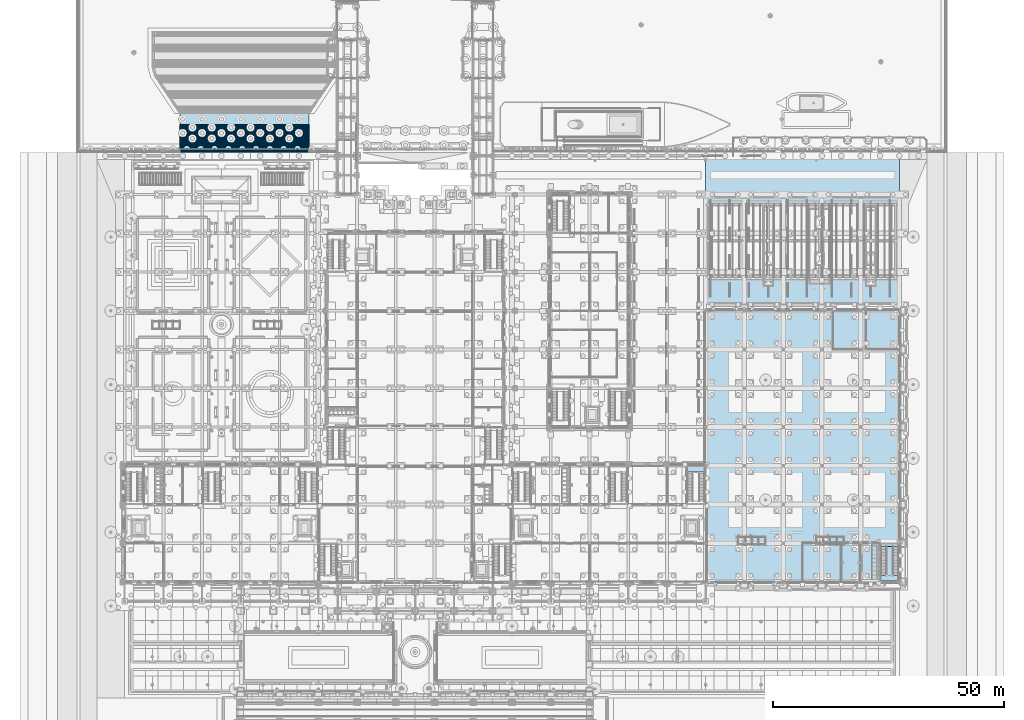
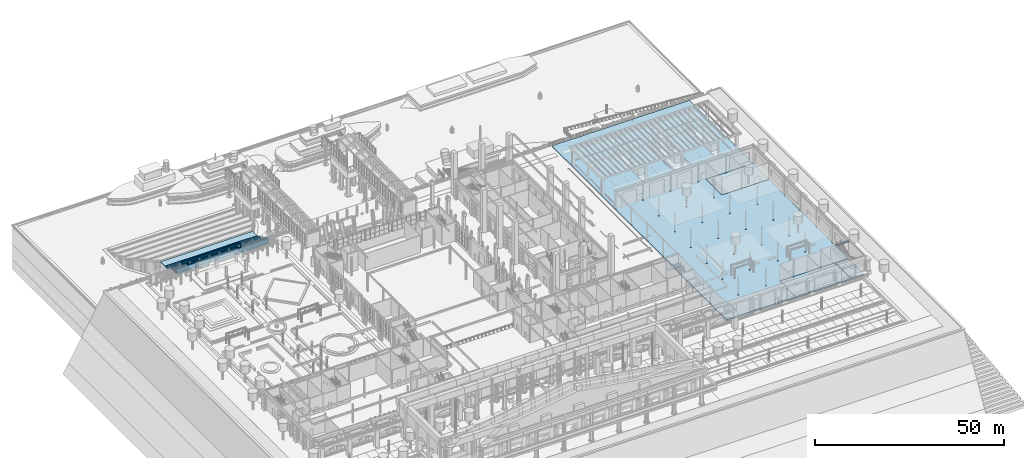
# One storey, part 82 of 222: 28 slabs, 2 elements without a shape of their own.
"""IFC4 building model written with IfcOpenShell, lengths in metres."""

from ifc_helpers import new_model, si_unit, direction, frame, origin, place, context, subcontext, project, spatial, polyline, outline, extrude, material, layer, layer_set, type_object, element, aggregate, save


model = new_model("IFC4")

# Units and contexts
model_context = context("Model", 3, precision=1e-05, world=origin(), true_north=direction((0.0, 1.0)))
body_context = subcontext(model_context, "Body", "Model", "MODEL_VIEW")
ifc_project = project(units=[si_unit("LENGTHUNIT", "METRE"), si_unit("AREAUNIT", "SQUARE_METRE"), si_unit("VOLUMEUNIT", "CUBIC_METRE"), si_unit("PLANEANGLEUNIT", "RADIAN"), si_unit("MASSUNIT", "GRAM", prefix="KILO")], contexts=[model_context])

# Site, building, storey
site_placement = place(None, origin())
site = spatial("IfcSite", under=ifc_project, at=site_placement, CompositionType="ELEMENT")
building_placement = place(site_placement, origin())
building = spatial("IfcBuilding", under=site, at=building_placement, Name="Sava Quay Ferry Terminal", CompositionType="ELEMENT")
storey_placement = place(building_placement, origin())
storey = spatial("IfcBuildingStorey", under=building, at=storey_placement, Name="L00", CompositionType="ELEMENT", Elevation=0.0)

# Slabs
ifc_material_1 = material(Name="Concrete C40/50", Category="concrete")
ifc_layer_1 = layer(ifc_material_1, 0.449951171875)
ifc_layer_set_1 = layer_set([ifc_layer_1], Name="Concrete C40/50")
slab_type_1 = type_object("IfcSlabType", Name="RC deck slab 450", PredefinedType="FLOOR", material=ifc_layer_set_1)
slab_1_placement = place(storey_placement, frame((0.0, 0.0, -0.449951171875)))
element("IfcSlab", 1, at=slab_1_placement, inside=storey, type_object=slab_type_1, Name="V floor slab L00", PredefinedType="FLOOR", context=body_context, shape_type="SweptSolid", body=[
    extrude(outline(polyline([(163.800048828125, 33.60009765625), (163.800048828125, 25.199951171875), (159.760009765625, 25.199951171875), (159.760009765625, 25.3701171875), (159.43994140625, 25.3701171875), (159.43994140625, 25.199951171875), (151.360107421875, 25.199951171875), (151.360107421875, 25.3701171875), (151.0400390625, 25.3701171875), (151.0400390625, 25.199951171875), (147.0, 25.199951171875), (147.0, 33.60009765625), (151.0400390625, 33.60009765625), (151.0400390625, 33.429931640625), (151.360107421875, 33.429931640625), (151.360107421875, 33.60009765625), (159.43994140625, 33.60009765625), (159.43994140625, 33.429931640625), (159.760009765625, 33.429931640625), (159.760009765625, 33.60009765625), (163.800048828125, 33.60009765625)])), origin(), (0.0, 0.0, 1.0), 0.449951171875),
])
slab_2_placement = place(storey_placement, frame((0.0, 0.0, -0.449951171875)))
element("IfcSlab", 2, at=slab_2_placement, inside=storey, type_object=slab_type_1, Name="V floor slab L00", PredefinedType="FLOOR", context=body_context, shape_type="SweptSolid", body=[
    extrude(outline(polyline([(168.0, 75.77001953125), (167.840087890625, 75.77001953125), (167.840087890625, 75.60009765625), (159.760009765625, 75.60009765625), (159.760009765625, 75.77001953125), (159.43994140625, 75.77001953125), (159.43994140625, 75.60009765625), (153.60009765625, 75.60009765625), (153.60009765625, 84.0), (159.43994140625, 84.0), (159.43994140625, 83.830078125), (159.760009765625, 83.830078125), (159.760009765625, 84.0), (167.840087890625, 84.0), (167.840087890625, 83.830078125), (168.0, 83.830078125), (168.0, 75.77001953125)])), origin(), (0.0, 0.0, 1.0), 0.449951171875),
])
slab_3_placement = place(storey_placement, frame((0.0, 0.0, -0.449951171875)))
element("IfcSlab", 3, at=slab_3_placement, inside=storey, type_object=slab_type_1, Name="Quay deck slab", PredefinedType="FLOOR", context=body_context, shape_type="SweptSolid", body=[
    extrude(outline(polyline([(159.760009765625, 33.60009765625), (159.760009765625, 33.77001953125), (159.43994140625, 33.77001953125), (159.43994140625, 33.60009765625), (151.360107421875, 33.60009765625), (151.360107421875, 33.77001953125), (151.0400390625, 33.77001953125), (151.0400390625, 33.60009765625), (147.0, 33.60009765625), (147.0, 25.199951171875), (142.9599609375, 25.199951171875), (142.9599609375, 25.3701171875), (142.639892578125, 25.3701171875), (142.639892578125, 25.199951171875), (134.56005859375, 25.199951171875), (134.56005859375, 25.3701171875), (134.239990234375, 25.3701171875), (134.239990234375, 25.199951171875), (126.159912109375, 25.199951171875), (126.159912109375, 25.3701171875), (126.0, 25.3701171875), (126.0, 33.429931640625), (126.159912109375, 33.429931640625), (126.159912109375, 33.77001953125), (126.0, 33.77001953125), (126.0, 42.0), (126.0, 50.39990234375), (126.0, 58.6298828125), (126.159912109375, 58.6298828125), (126.159912109375, 58.969970703125), (126.0, 58.969970703125), (126.0, 67.030029296875), (126.159912109375, 67.030029296875), (126.159912109375, 67.3701171875), (126.0, 67.3701171875), (126.0, 75.429931640625), (126.159912109375, 75.429931640625), (126.159912109375, 75.77001953125), (126.0, 75.77001953125), (126.0, 83.830078125), (126.159912109375, 83.830078125), (126.159912109375, 84.169921875), (126.0, 84.169921875), (126.0, 117.60009765625), (168.0, 117.60009765625), (168.0, 84.169921875), (167.840087890625, 84.169921875), (167.840087890625, 84.0), (159.760009765625, 84.0), (159.760009765625, 84.169921875), (159.43994140625, 84.169921875), (159.43994140625, 84.0), (153.60009765625, 84.0), (153.60009765625, 75.60009765625), (159.43994140625, 75.60009765625), (159.43994140625, 75.429931640625), (159.760009765625, 75.429931640625), (159.760009765625, 75.60009765625), (167.840087890625, 75.60009765625), (167.840087890625, 75.429931640625), (168.0, 75.429931640625), (168.0, 67.3701171875), (167.840087890625, 67.3701171875), (167.840087890625, 67.030029296875), (168.0, 67.030029296875), (168.0, 58.969970703125), (167.840087890625, 58.969970703125), (167.840087890625, 58.6298828125), (168.0, 58.6298828125), (168.0, 50.570068359375), (167.840087890625, 50.570068359375), (167.840087890625, 50.22998046875), (168.0, 50.22998046875), (168.0, 42.169921875), (167.840087890625, 42.169921875), (167.840087890625, 41.830078125), (168.0, 41.830078125), (168.0, 33.60009765625), (163.800048828125, 33.60009765625), (159.760009765625, 33.60009765625)]), holes=[polyline([(142.639892578125, 33.77001953125), (142.639892578125, 33.429931640625), (142.9599609375, 33.429931640625), (142.9599609375, 33.77001953125), (142.639892578125, 33.77001953125)]), polyline([(134.239990234375, 33.77001953125), (134.239990234375, 33.429931640625), (134.56005859375, 33.429931640625), (134.56005859375, 33.77001953125), (134.239990234375, 33.77001953125)]), polyline([(134.239990234375, 42.169921875), (134.239990234375, 41.830078125), (134.56005859375, 41.830078125), (134.56005859375, 42.169921875), (134.239990234375, 42.169921875)]), polyline([(151.0400390625, 42.169921875), (151.0400390625, 41.830078125), (151.360107421875, 41.830078125), (151.360107421875, 42.169921875), (151.0400390625, 42.169921875)]), polyline([(142.639892578125, 42.169921875), (142.639892578125, 41.830078125), (142.9599609375, 41.830078125), (142.9599609375, 42.169921875), (142.639892578125, 42.169921875)]), polyline([(159.43994140625, 42.169921875), (159.43994140625, 41.830078125), (159.760009765625, 41.830078125), (159.760009765625, 42.169921875), (159.43994140625, 42.169921875)]), polyline([(134.239990234375, 50.22998046875), (134.56005859375, 50.22998046875), (134.56005859375, 50.570068359375), (134.239990234375, 50.570068359375), (134.239990234375, 50.22998046875)]), polyline([(142.639892578125, 50.570068359375), (142.639892578125, 50.22998046875), (142.9599609375, 50.22998046875), (142.9599609375, 50.570068359375), (142.639892578125, 50.570068359375)]), polyline([(159.43994140625, 50.570068359375), (159.43994140625, 50.22998046875), (159.760009765625, 50.22998046875), (159.760009765625, 50.570068359375), (159.43994140625, 50.570068359375)]), polyline([(151.0400390625, 50.570068359375), (151.0400390625, 50.22998046875), (151.360107421875, 50.22998046875), (151.360107421875, 50.570068359375), (151.0400390625, 50.570068359375)]), polyline([(151.0400390625, 58.969970703125), (151.0400390625, 58.6298828125), (151.360107421875, 58.6298828125), (151.360107421875, 58.969970703125), (151.0400390625, 58.969970703125)]), polyline([(159.43994140625, 58.969970703125), (159.43994140625, 58.6298828125), (159.760009765625, 58.6298828125), (159.760009765625, 58.969970703125), (159.43994140625, 58.969970703125)]), polyline([(142.639892578125, 58.969970703125), (142.639892578125, 58.6298828125), (142.9599609375, 58.6298828125), (142.9599609375, 58.969970703125), (142.639892578125, 58.969970703125)]), polyline([(134.239990234375, 58.969970703125), (134.239990234375, 58.6298828125), (134.56005859375, 58.6298828125), (134.56005859375, 58.969970703125), (134.239990234375, 58.969970703125)]), polyline([(151.0400390625, 67.3701171875), (151.0400390625, 67.030029296875), (151.360107421875, 67.030029296875), (151.360107421875, 67.3701171875), (151.0400390625, 67.3701171875)]), polyline([(159.43994140625, 67.3701171875), (159.43994140625, 67.030029296875), (159.760009765625, 67.030029296875), (159.760009765625, 67.3701171875), (159.43994140625, 67.3701171875)]), polyline([(142.639892578125, 67.3701171875), (142.639892578125, 67.030029296875), (142.9599609375, 67.030029296875), (142.9599609375, 67.3701171875), (142.639892578125, 67.3701171875)]), polyline([(134.239990234375, 67.3701171875), (134.239990234375, 67.030029296875), (134.56005859375, 67.030029296875), (134.56005859375, 67.3701171875), (134.239990234375, 67.3701171875)]), polyline([(134.239990234375, 75.77001953125), (134.239990234375, 75.429931640625), (134.56005859375, 75.429931640625), (134.56005859375, 75.77001953125), (134.239990234375, 75.77001953125)]), polyline([(142.639892578125, 75.77001953125), (142.639892578125, 75.429931640625), (142.9599609375, 75.429931640625), (142.9599609375, 75.77001953125), (142.639892578125, 75.77001953125)]), polyline([(151.0400390625, 75.429931640625), (151.360107421875, 75.429931640625), (151.360107421875, 75.77001953125), (151.0400390625, 75.77001953125), (151.0400390625, 75.429931640625)]), polyline([(151.0400390625, 84.169921875), (151.0400390625, 83.830078125), (151.360107421875, 83.830078125), (151.360107421875, 84.169921875), (151.0400390625, 84.169921875)]), polyline([(134.239990234375, 84.169921875), (134.239990234375, 83.830078125), (134.56005859375, 83.830078125), (134.56005859375, 84.169921875), (134.239990234375, 84.169921875)]), polyline([(142.639892578125, 84.169921875), (142.639892578125, 83.830078125), (142.9599609375, 83.830078125), (142.9599609375, 84.169921875), (142.639892578125, 84.169921875)])]), origin(), (0.0, 0.0, 1.0), 0.449951171875),
])
slab_4_placement = place(storey_placement, frame((0.0, 0.0, -0.449951171875)))
element("IfcSlab", 4, at=slab_4_placement, inside=storey, type_object=slab_type_1, Name="Stair floor ST-V1", PredefinedType="FLOOR", context=body_context, shape_type="SweptSolid", body=[
    extrude(outline(polyline([(164.0, 25.39990234375), (167.800048828125, 25.39990234375), (167.800048828125, 33.39990234375), (164.0, 33.39990234375), (164.0, 25.39990234375)])), origin(), (0.0, 0.0, 1.0), 0.449951171875),
])
ifc_material_2 = material(Name="Concrete C40/50", Category="concrete")
ifc_layer_2 = layer(ifc_material_2, 0.14990234375)
ifc_layer_set_2 = layer_set([ifc_layer_2], Name="Concrete C40/50")
slab_type_2 = type_object("IfcSlabType", Name="RC quay landing 150", PredefinedType="FLOOR", material=ifc_layer_set_2)
slab_5_placement = place(storey_placement, frame((0.0, 0.0, -3.14990234375)))
element("IfcSlab", 5, at=slab_5_placement, inside=storey, type_object=slab_type_2, Name="Quay stair landing", PredefinedType="FLOOR", context=body_context, shape_type="SweptSolid", body=[
    extrude(outline(polyline([(12.0, 124.35009765625), (40.0, 124.35009765625), (40.0, 126.75), (12.0, 126.75), (12.0, 124.35009765625)])), origin(), (0.0, 0.0, 1.0), 0.14990234375),
])
ifc_material_3 = material(Name="Concrete C40/50", Category="concrete")
ifc_layer_3 = layer(ifc_material_3, 1.050048828125)
ifc_layer_set_3 = layer_set([ifc_layer_3], Name="Concrete C40/50")
slab_type_3 = type_object("IfcSlabType", Name="RC quay step block 1050", PredefinedType="FLOOR", material=ifc_layer_set_3)
slab_6_placement = place(storey_placement, frame((0.0, 0.0, -1.949951171875)))
element("IfcSlab", 6, at=slab_6_placement, inside=storey, type_object=slab_type_3, Name="Quay step 6", PredefinedType="FLOOR", context=body_context, shape_type="SweptSolid", body=[
    extrude(outline(polyline([(12.0, 119.85009765625), (40.0, 119.85009765625), (40.0, 120.14990234375), (12.0, 120.14990234375), (12.0, 119.85009765625)])), origin(), (0.0, 0.0, 1.0), 1.050048828125),
])
ifc_material_4 = material(Name="Concrete C40/50", Category="concrete")
ifc_layer_4 = layer(ifc_material_4, 1.199951171875)
ifc_layer_set_4 = layer_set([ifc_layer_4], Name="Concrete C40/50")
slab_type_4 = type_object("IfcSlabType", Name="RC quay step block 1200", PredefinedType="FLOOR", material=ifc_layer_set_4)
slab_7_placement = place(storey_placement, frame((0.0, 0.0, -1.949951171875)))
element("IfcSlab", 7, at=slab_7_placement, inside=storey, type_object=slab_type_4, Name="Quay step 5", PredefinedType="FLOOR", context=body_context, shape_type="SweptSolid", body=[
    extrude(outline(polyline([(12.0, 119.550048828125), (40.0, 119.550048828125), (40.0, 119.85009765625), (12.0, 119.85009765625), (12.0, 119.550048828125)])), origin(), (0.0, 0.0, 1.0), 1.199951171875),
])
ifc_material_5 = material(Name="Concrete C40/50", Category="concrete")
ifc_layer_5 = layer(ifc_material_5, 1.35009765625)
ifc_layer_set_5 = layer_set([ifc_layer_5], Name="Concrete C40/50")
slab_type_5 = type_object("IfcSlabType", Name="RC quay step block 1350", PredefinedType="FLOOR", material=ifc_layer_set_5)
slab_8_placement = place(storey_placement, frame((0.0, 0.0, -1.949951171875)))
element("IfcSlab", 8, at=slab_8_placement, inside=storey, type_object=slab_type_5, Name="Quay step 4", PredefinedType="FLOOR", context=body_context, shape_type="SweptSolid", body=[
    extrude(outline(polyline([(12.0, 119.25), (40.0, 119.25), (40.0, 119.550048828125), (12.0, 119.550048828125), (12.0, 119.25)])), origin(), (0.0, 0.0, 1.0), 1.349853515625),
])
ifc_material_6 = material(Name="Concrete C40/50", Category="concrete")
ifc_layer_6 = layer(ifc_material_6, 0.14990234375)
ifc_layer_set_6 = layer_set([ifc_layer_6], Name="Concrete C40/50")
slab_type_6 = type_object("IfcSlabType", Name="RC quay step block 150", PredefinedType="FLOOR", material=ifc_layer_set_6)
slab_9_placement = place(storey_placement, frame((0.0, 0.0, -1.949951171875)))
element("IfcSlab", 9, at=slab_9_placement, inside=storey, type_object=slab_type_6, Name="Quay step 12", PredefinedType="FLOOR", context=body_context, shape_type="SweptSolid", body=[
    extrude(outline(polyline([(12.0, 121.64990234375), (40.0, 121.64990234375), (40.0, 121.949951171875), (12.0, 121.949951171875), (12.0, 121.64990234375)])), origin(), (0.0, 0.0, 1.0), 0.14990234375),
])
slab_10_placement = place(storey_placement, frame((0.0, 0.0, -2.550048828125)))
element("IfcSlab", 10, at=slab_10_placement, inside=storey, type_object=slab_type_6, Name="Quay step 16", PredefinedType="FLOOR", context=body_context, shape_type="SweptSolid", body=[
    extrude(outline(polyline([(12.0, 122.85009765625), (40.0, 122.85009765625), (40.0, 123.14990234375), (12.0, 123.14990234375), (12.0, 122.85009765625)])), origin(), (0.0, 0.0, 1.0), 0.150146484375),
])
slab_11_placement = place(storey_placement, frame((0.0, 0.0, -3.14990234375)))
element("IfcSlab", 11, at=slab_11_placement, inside=storey, type_object=slab_type_6, Name="Quay step 20", PredefinedType="FLOOR", context=body_context, shape_type="SweptSolid", body=[
    extrude(outline(polyline([(12.0, 124.050048828125), (40.0, 124.050048828125), (40.0, 124.35009765625), (12.0, 124.35009765625), (12.0, 124.050048828125)])), origin(), (0.0, 0.0, 1.0), 0.14990234375),
])
ifc_material_7 = material(Name="Concrete C40/50", Category="concrete")
ifc_layer_7 = layer(ifc_material_7, 1.5)
ifc_layer_set_7 = layer_set([ifc_layer_7], Name="Concrete C40/50")
slab_type_7 = type_object("IfcSlabType", Name="RC quay step block 1500", PredefinedType="FLOOR", material=ifc_layer_set_7)
slab_12_placement = place(storey_placement, frame((0.0, 0.0, -1.949951171875)))
element("IfcSlab", 12, at=slab_12_placement, inside=storey, type_object=slab_type_7, Name="Quay step 3", PredefinedType="FLOOR", context=body_context, shape_type="SweptSolid", body=[
    extrude(outline(polyline([(12.0, 118.949951171875), (40.0, 118.949951171875), (40.0, 119.25), (12.0, 119.25), (12.0, 118.949951171875)])), origin(), (0.0, 0.0, 1.0), 1.5),
])
ifc_material_8 = material(Name="Concrete C40/50", Category="concrete")
ifc_layer_8 = layer(ifc_material_8, 1.64990234375)
ifc_layer_set_8 = layer_set([ifc_layer_8], Name="Concrete C40/50")
slab_type_8 = type_object("IfcSlabType", Name="RC quay step block 1650", PredefinedType="FLOOR", material=ifc_layer_set_8)
slab_13_placement = place(storey_placement, frame((0.0, 0.0, -1.949951171875)))
element("IfcSlab", 13, at=slab_13_placement, inside=storey, type_object=slab_type_8, Name="Quay step 2", PredefinedType="FLOOR", context=body_context, shape_type="SweptSolid", body=[
    extrude(outline(polyline([(12.0, 118.64990234375), (40.0, 118.64990234375), (40.0, 118.949951171875), (12.0, 118.949951171875), (12.0, 118.64990234375)])), origin(), (0.0, 0.0, 1.0), 1.64990234375),
])
ifc_material_9 = material(Name="Concrete C40/50", Category="concrete")
ifc_layer_9 = layer(ifc_material_9, 1.800048828125)
ifc_layer_set_9 = layer_set([ifc_layer_9], Name="Concrete C40/50")
slab_type_9 = type_object("IfcSlabType", Name="RC quay step block 1800", PredefinedType="FLOOR", material=ifc_layer_set_9)
slab_14_placement = place(storey_placement, frame((0.0, 0.0, -1.949951171875)))
element("IfcSlab", 14, at=slab_14_placement, inside=storey, type_object=slab_type_9, Name="Quay step 1", PredefinedType="FLOOR", context=body_context, shape_type="SweptSolid", body=[
    extrude(outline(polyline([(12.0, 118.35009765625), (40.0, 118.35009765625), (40.0, 118.64990234375), (12.0, 118.64990234375), (12.0, 118.35009765625)])), origin(), (0.0, 0.0, 1.0), 1.800048828125),
])
ifc_material_10 = material(Name="Concrete C40/50", Category="concrete")
ifc_layer_10 = layer(ifc_material_10, 0.300048828125)
ifc_layer_set_10 = layer_set([ifc_layer_10], Name="Concrete C40/50")
slab_type_10 = type_object("IfcSlabType", Name="RC quay step block 300", PredefinedType="FLOOR", material=ifc_layer_set_10)
slab_15_placement = place(storey_placement, frame((0.0, 0.0, -1.949951171875)))
element("IfcSlab", 15, at=slab_15_placement, inside=storey, type_object=slab_type_10, Name="Quay step 11", PredefinedType="FLOOR", context=body_context, shape_type="SweptSolid", body=[
    extrude(outline(polyline([(12.0, 121.35009765625), (40.0, 121.35009765625), (40.0, 121.64990234375), (12.0, 121.64990234375), (12.0, 121.35009765625)])), origin(), (0.0, 0.0, 1.0), 0.300048828125),
])
slab_16_placement = place(storey_placement, frame((0.0, 0.0, -2.550048828125)))
element("IfcSlab", 16, at=slab_16_placement, inside=storey, type_object=slab_type_10, Name="Quay step 15", PredefinedType="FLOOR", context=body_context, shape_type="SweptSolid", body=[
    extrude(outline(polyline([(12.0, 122.550048828125), (40.0, 122.550048828125), (40.0, 122.85009765625), (12.0, 122.85009765625), (12.0, 122.550048828125)])), origin(), (0.0, 0.0, 1.0), 0.300048828125),
])
slab_17_placement = place(storey_placement, frame((0.0, 0.0, -3.14990234375)))
element("IfcSlab", 17, at=slab_17_placement, inside=storey, type_object=slab_type_10, Name="Quay step 19", PredefinedType="FLOOR", context=body_context, shape_type="SweptSolid", body=[
    extrude(outline(polyline([(12.0, 123.75), (40.0, 123.75), (40.0, 124.050048828125), (12.0, 124.050048828125), (12.0, 123.75)])), origin(), (0.0, 0.0, 1.0), 0.2998046875),
])
ifc_material_11 = material(Name="Concrete C40/50", Category="concrete")
ifc_layer_11 = layer(ifc_material_11, 0.449951171875)
ifc_layer_set_11 = layer_set([ifc_layer_11], Name="Concrete C40/50")
slab_type_11 = type_object("IfcSlabType", Name="RC quay step block 450", PredefinedType="FLOOR", material=ifc_layer_set_11)
slab_18_placement = place(storey_placement, frame((0.0, 0.0, -1.949951171875)))
element("IfcSlab", 18, at=slab_18_placement, inside=storey, type_object=slab_type_11, Name="Quay step 10", PredefinedType="FLOOR", context=body_context, shape_type="SweptSolid", body=[
    extrude(outline(polyline([(12.0, 121.050048828125), (40.0, 121.050048828125), (40.0, 121.35009765625), (12.0, 121.35009765625), (12.0, 121.050048828125)])), origin(), (0.0, 0.0, 1.0), 0.449951171875),
])
slab_19_placement = place(storey_placement, frame((0.0, 0.0, -2.550048828125)))
element("IfcSlab", 19, at=slab_19_placement, inside=storey, type_object=slab_type_11, Name="Quay step 14", PredefinedType="FLOOR", context=body_context, shape_type="SweptSolid", body=[
    extrude(outline(polyline([(12.0, 122.25), (40.0, 122.25), (40.0, 122.550048828125), (12.0, 122.550048828125), (12.0, 122.25)])), origin(), (0.0, 0.0, 1.0), 0.449951171875),
])
slab_20_placement = place(storey_placement, frame((0.0, 0.0, -3.14990234375)))
element("IfcSlab", 20, at=slab_20_placement, inside=storey, type_object=slab_type_11, Name="Quay step 18", PredefinedType="FLOOR", context=body_context, shape_type="SweptSolid", body=[
    extrude(outline(polyline([(12.0, 123.449951171875), (40.0, 123.449951171875), (40.0, 123.75), (12.0, 123.75), (12.0, 123.449951171875)])), origin(), (0.0, 0.0, 1.0), 0.449951171875),
])
ifc_material_12 = material(Name="Concrete C40/50", Category="concrete")
ifc_layer_12 = layer(ifc_material_12, 0.60009765625)
ifc_layer_set_12 = layer_set([ifc_layer_12], Name="Concrete C40/50")
slab_type_12 = type_object("IfcSlabType", Name="RC quay step block 600", PredefinedType="FLOOR", material=ifc_layer_set_12)
slab_21_placement = place(storey_placement, frame((0.0, 0.0, -1.949951171875)))
element("IfcSlab", 21, at=slab_21_placement, inside=storey, type_object=slab_type_12, Name="Quay step 9", PredefinedType="FLOOR", context=body_context, shape_type="SweptSolid", body=[
    extrude(outline(polyline([(12.0, 120.75), (40.0, 120.75), (40.0, 121.050048828125), (12.0, 121.050048828125), (12.0, 120.75)])), origin(), (0.0, 0.0, 1.0), 0.599853515625),
])
slab_22_placement = place(storey_placement, frame((0.0, 0.0, -2.550048828125)))
element("IfcSlab", 22, at=slab_22_placement, inside=storey, type_object=slab_type_12, Name="Quay step 13", PredefinedType="FLOOR", context=body_context, shape_type="SweptSolid", body=[
    extrude(outline(polyline([(12.0, 121.949951171875), (40.0, 121.949951171875), (40.0, 122.25), (12.0, 122.25), (12.0, 121.949951171875)])), origin(), (0.0, 0.0, 1.0), 0.60009765625),
])
slab_23_placement = place(storey_placement, frame((0.0, 0.0, -3.14990234375)))
element("IfcSlab", 23, at=slab_23_placement, inside=storey, type_object=slab_type_12, Name="Quay step 17", PredefinedType="FLOOR", context=body_context, shape_type="SweptSolid", body=[
    extrude(outline(polyline([(12.0, 123.14990234375), (40.0, 123.14990234375), (40.0, 123.449951171875), (12.0, 123.449951171875), (12.0, 123.14990234375)])), origin(), (0.0, 0.0, 1.0), 0.599853515625),
])
ifc_material_13 = material(Name="Concrete C40/50", Category="concrete")
ifc_layer_13 = layer(ifc_material_13, 0.75)
ifc_layer_set_13 = layer_set([ifc_layer_13], Name="Concrete C40/50")
slab_type_13 = type_object("IfcSlabType", Name="RC quay step block 750", PredefinedType="FLOOR", material=ifc_layer_set_13)
slab_24_placement = place(storey_placement, frame((0.0, 0.0, -1.949951171875)))
element("IfcSlab", 24, at=slab_24_placement, inside=storey, type_object=slab_type_13, Name="Quay step 8", PredefinedType="FLOOR", context=body_context, shape_type="SweptSolid", body=[
    extrude(outline(polyline([(12.0, 120.449951171875), (40.0, 120.449951171875), (40.0, 120.75), (12.0, 120.75), (12.0, 120.449951171875)])), origin(), (0.0, 0.0, 1.0), 0.75),
])
ifc_material_14 = material(Name="Concrete C40/50", Category="concrete")
ifc_layer_14 = layer(ifc_material_14, 0.89990234375)
ifc_layer_set_14 = layer_set([ifc_layer_14], Name="Concrete C40/50")
slab_type_14 = type_object("IfcSlabType", Name="RC quay step block 900", PredefinedType="FLOOR", material=ifc_layer_set_14)
slab_25_placement = place(storey_placement, frame((0.0, 0.0, -1.949951171875)))
element("IfcSlab", 25, at=slab_25_placement, inside=storey, type_object=slab_type_14, Name="Quay step 7", PredefinedType="FLOOR", context=body_context, shape_type="SweptSolid", body=[
    extrude(outline(polyline([(12.0, 120.14990234375), (40.0, 120.14990234375), (40.0, 120.449951171875), (12.0, 120.449951171875), (12.0, 120.14990234375)])), origin(), (0.0, 0.0, 1.0), 0.89990234375),
])

# Stair, slab
ifc_material_15 = material(Name="Concrete C30/37", Category="concrete")
stair_type = type_object("IfcStairType", Name="Stair 1200 half landing", PredefinedType="HALF_TURN_STAIR", material=ifc_material_15)
stair_1_placement = place(storey_placement, origin())
stair_1 = element("IfcStair", 26, at=stair_1_placement, inside=storey, type_object=stair_type, Name="Stair ST-V1 L00", PredefinedType="HALF_TURN_STAIR")
ifc_material_16 = material(Name="Concrete C30/37", Category="concrete")
ifc_layer_15 = layer(ifc_material_16, 0.199951171875)
ifc_layer_set_15 = layer_set([ifc_layer_15], Name="Concrete C30/37")
slab_type_15 = type_object("IfcSlabType", Name="Stair head floor 200", PredefinedType="FLOOR", material=ifc_layer_set_15)
slab_26_placement = place(storey_placement, frame((0.0, 0.0, 5.800048828125)))
slab_26 = element("IfcSlab", 27, at=slab_26_placement, type_object=slab_type_15, Name="ST-V1 head floor L01", PredefinedType="FLOOR", context=body_context, shape_type="SweptSolid", body=[
    extrude(outline(polyline([(164.0, 32.8701171875), (164.0, 33.39990234375), (167.800048828125, 33.39990234375), (167.800048828125, 32.8701171875), (164.0, 32.8701171875)])), origin(), (0.0, 0.0, 1.0), 0.199951171875),
])

stair_2_placement = place(storey_placement, origin())
stair_2 = element("IfcStair", 28, at=stair_2_placement, inside=storey, type_object=stair_type, Name="Stair ST-P2 L00", PredefinedType="HALF_TURN_STAIR")
ifc_material_17 = material(Name="Concrete C30/37", Category="concrete")
ifc_layer_16 = layer(ifc_material_17, 0.199951171875)
ifc_layer_set_16 = layer_set([ifc_layer_16], Name="Concrete C30/37")
slab_type_16 = type_object("IfcSlabType", Name="Stair landing 200", PredefinedType="LANDING", material=ifc_layer_set_16)
slab_27_placement = place(storey_placement, frame((0.0, 0.0, 2.800048828125)))
slab_27 = element("IfcSlab", 29, at=slab_27_placement, type_object=slab_type_16, Name="ST-P2 landing 1", PredefinedType="LANDING", context=body_context, shape_type="SweptSolid", body=[
    extrude(outline(polyline([(122.0, 49.0), (122.0, 50.199951171875), (125.800048828125, 50.199951171875), (125.800048828125, 49.0), (122.0, 49.0)])), origin(), (0.0, 0.0, 1.0), 0.199951171875),
])
aggregate(stair_2, [slab_27])

# Slab
slab_28_placement = place(storey_placement, frame((0.0, 0.0, 2.800048828125)))
slab_28 = element("IfcSlab", 30, at=slab_28_placement, type_object=slab_type_16, Name="ST-V1 landing 1", PredefinedType="LANDING", context=body_context, shape_type="SweptSolid", body=[
    extrude(outline(polyline([(164.0, 25.39990234375), (164.0, 26.60009765625), (167.800048828125, 26.60009765625), (167.800048828125, 25.39990234375), (164.0, 25.39990234375)])), origin(), (0.0, 0.0, 1.0), 0.199951171875),
])

aggregate(stair_1, [slab_28, slab_26])

save(model, "model.ifc")
